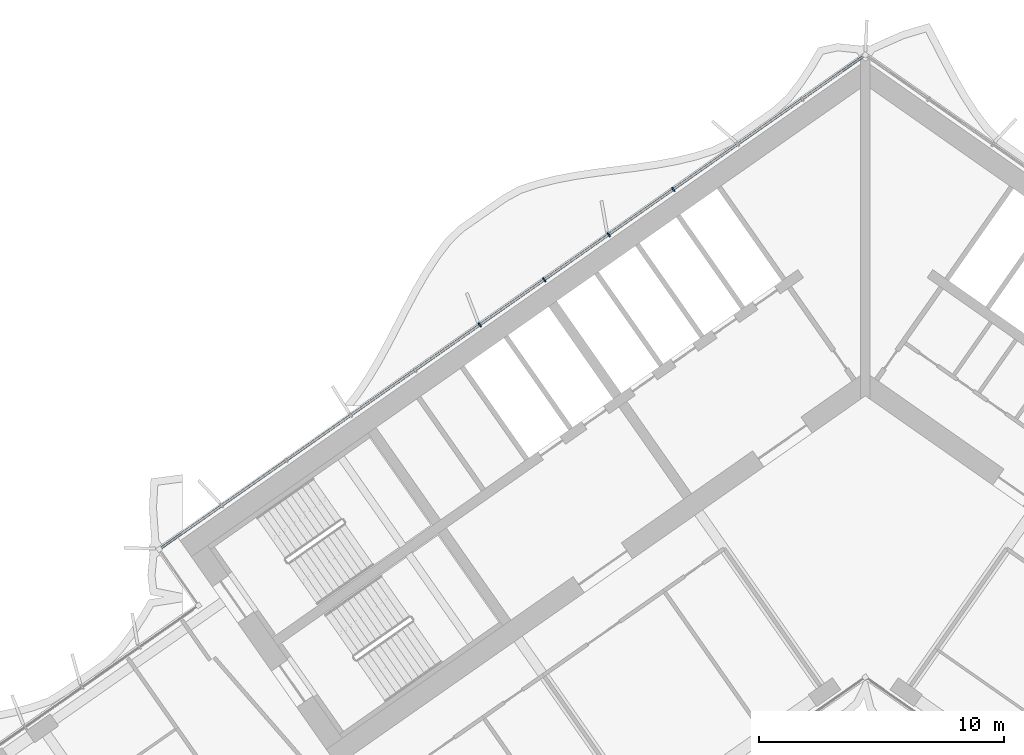
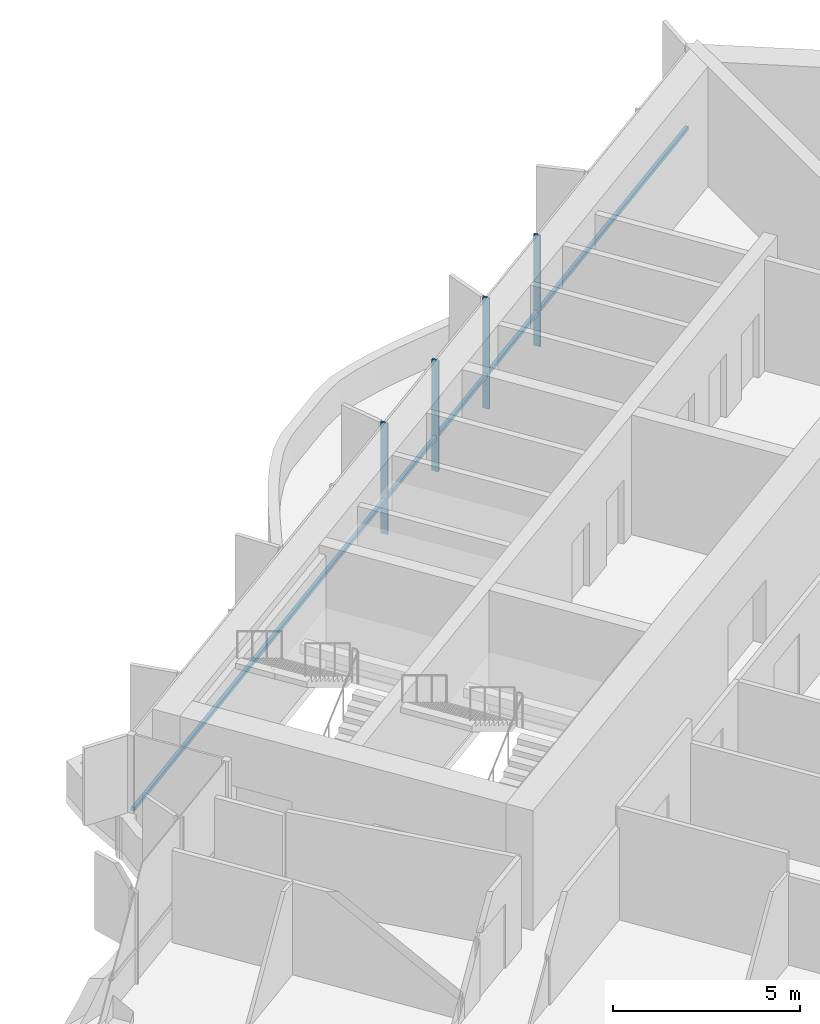
# One storey, part 8 of 23: 5 members, 1 element without a shape of its own.
"""IFC4 building model written with IfcOpenShell, lengths in metres."""

from ifc_helpers import new_model, si_unit, direction, frame, origin, origin_2d, place, context, subcontext, project, spatial, rectangle, extrude, material, material_profile, profile_set, type_object, element, aggregate, save


model = new_model("IFC4")

# Units and contexts
model_context = context("Model", 3, precision=1e-05, world=origin(), true_north=direction((0.0, 1.0)))
body_context = subcontext(model_context, "Body", "Model", "MODEL_VIEW")
ifc_project = project(units=[si_unit("LENGTHUNIT", "METRE"), si_unit("AREAUNIT", "SQUARE_METRE"), si_unit("VOLUMEUNIT", "CUBIC_METRE"), si_unit("PLANEANGLEUNIT", "RADIAN"), si_unit("MASSUNIT", "GRAM", prefix="KILO")], contexts=[model_context])

# Site, building, storey
site_placement = place(None, origin())
site = spatial("IfcSite", under=ifc_project, at=site_placement, CompositionType="ELEMENT")
building_placement = place(site_placement, origin())
building = spatial("IfcBuilding", under=site, at=building_placement, Name="Tel Ilan Convention Tower", CompositionType="ELEMENT")
storey_placement = place(building_placement, frame((0.0, 0.0, 182.699951171875)))
storey = spatial("IfcBuildingStorey", under=building, at=storey_placement, Name="L42", CompositionType="ELEMENT", Elevation=182.699951171875)

# Curtain wall, members
ifc_material_1 = material(Name="Aluminium, bronze anodised", Category="aluminium")
curtain_wall_type = type_object("IfcCurtainWallType", Name="CW2 STICK CURTAIN WALL, SPANDREL PANELS", PredefinedType="NOTDEFINED", material=ifc_material_1)
curtain_wall_placement = place(storey_placement, origin())
curtain_wall = element("IfcCurtainWall", 1, at=curtain_wall_placement, inside=storey, type_object=curtain_wall_type, Name="Curtain wall CW2-32.01", PredefinedType="NOTDEFINED")
ifc_material_2 = material(Name="Aluminium, bronze anodised", Category="aluminium")
ifc_material_profile_1 = material_profile(ifc_material_2, rectangle(XDim=0.06005859375, YDim=0.199951171875, at=origin_2d()), Name="CW MULLION 60x200")
ifc_profile_set_1 = profile_set([ifc_material_profile_1], Name="Aluminium, bronze anodised")
member_type_1 = type_object("IfcMemberType", Name="CW MULLION 60x200", PredefinedType="MULLION", material=ifc_profile_set_1)
member_1_placement = place(storey_placement, frame((-7.840576171875, 7.2060546875, 0.0), z_axis=(0.0, 0.0, 1.0), x_axis=(-0.819152044289, -0.573576436351, 0.0)))
member_1 = element("IfcMember", 2, at=member_1_placement, type_object=member_type_1, Name="Mullion", PredefinedType="MULLION", context=body_context, shape_type="SweptSolid", body=[
    extrude(rectangle(XDim=0.06005859375, YDim=0.199951171875, at=origin_2d()), origin(), (0.0, 0.0, 1.0), 3.6201171875),
])
member_2_placement = place(storey_placement, frame((-10.47314453125, 5.36279296875, 0.0), z_axis=(0.0, 0.0, 1.0), x_axis=(-0.819152044289, -0.573576436351, 0.0)))
member_2 = element("IfcMember", 3, at=member_2_placement, type_object=member_type_1, Name="Mullion", PredefinedType="MULLION", context=body_context, shape_type="SweptSolid", body=[
    extrude(rectangle(XDim=0.06005859375, YDim=0.199951171875, at=origin_2d()), origin(), (0.0, 0.0, 1.0), 3.6201171875),
])
member_3_placement = place(storey_placement, frame((-13.105712890625, 3.519287109375, 0.0), z_axis=(0.0, 0.0, 1.0), x_axis=(-0.819152044289, -0.573576436351, 0.0)))
member_3 = element("IfcMember", 4, at=member_3_placement, type_object=member_type_1, Name="Mullion", PredefinedType="MULLION", context=body_context, shape_type="SweptSolid", body=[
    extrude(rectangle(XDim=0.06005859375, YDim=0.199951171875, at=origin_2d()), origin(), (0.0, 0.0, 1.0), 3.6201171875),
])
member_4_placement = place(storey_placement, frame((-15.73828125, 1.676025390625, 0.0), z_axis=(0.0, 0.0, 1.0), x_axis=(-0.819152044289, -0.573576436351, 0.0)))
member_4 = element("IfcMember", 5, at=member_4_placement, type_object=member_type_1, Name="Mullion", PredefinedType="MULLION", context=body_context, shape_type="SweptSolid", body=[
    extrude(rectangle(XDim=0.06005859375, YDim=0.199951171875, at=origin_2d()), origin(), (0.0, 0.0, 1.0), 3.6201171875),
])
ifc_material_3 = material(Name="Aluminium, bronze anodised", Category="aluminium")
ifc_material_profile_2 = material_profile(ifc_material_3, rectangle(XDim=0.10009765625, YDim=0.1201171875, at=origin_2d()), Name="CW TRANSOM 100x120")
ifc_profile_set_2 = profile_set([ifc_material_profile_2], Name="Aluminium, bronze anodised")
member_type_2 = type_object("IfcMemberType", Name="CW TRANSOM 100x120", PredefinedType="USERDEFINED", material=ifc_profile_set_2)
member_5_placement = place(storey_placement, frame((-0.1064453125, 12.62158203125, 1.10009765625), z_axis=(-0.819150201937, -0.573579067494, 0.0), x_axis=(0.573579067494, -0.819150201937, 0.0)))
member_5 = element("IfcMember", 6, at=member_5_placement, type_object=member_type_2, Name="Transom", ObjectType="TRANSOM", PredefinedType="USERDEFINED", context=body_context, shape_type="SweptSolid", body=[
    extrude(rectangle(XDim=0.10009765625, YDim=0.1201171875, at=origin_2d()), origin(), (0.0, 0.0, 1.0), 34.9521484375),
])
aggregate(curtain_wall, [member_1, member_2, member_3, member_4, member_5])

save(model, "model.ifc")
